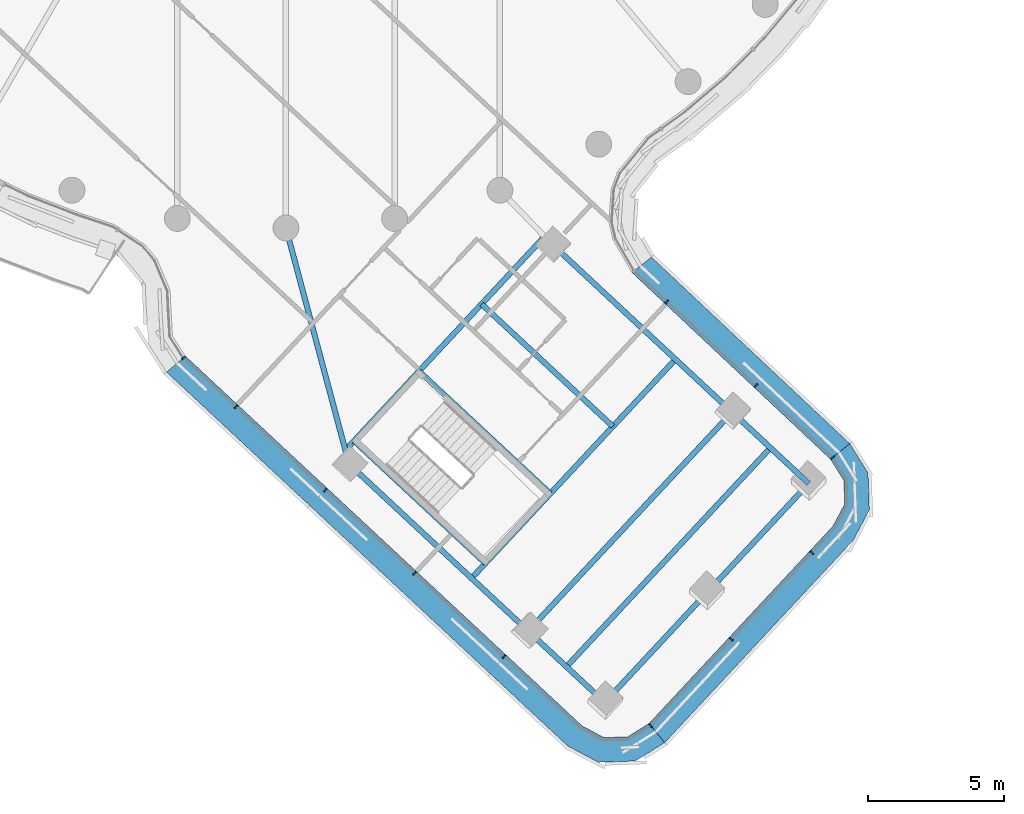
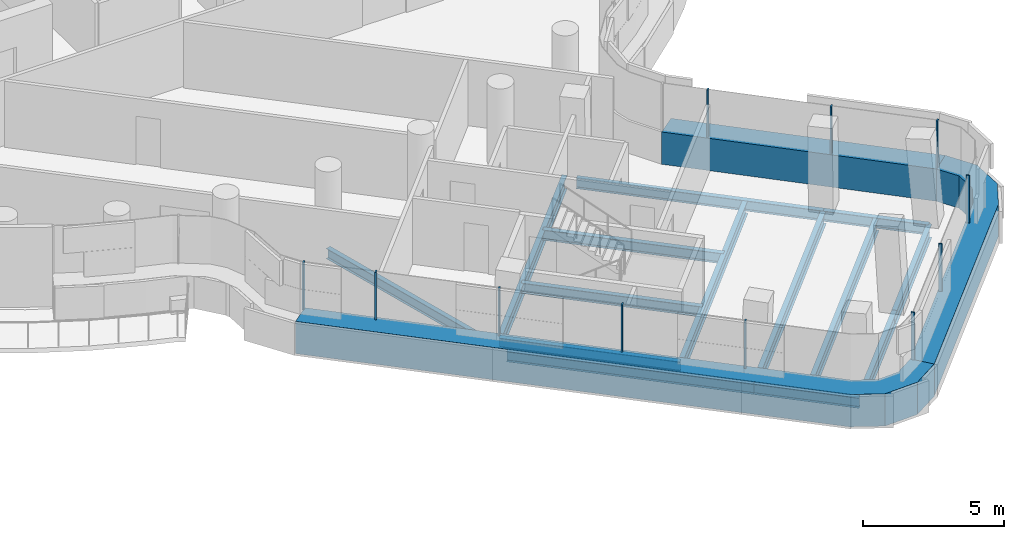
# One storey, part 4 of 30: 14 beams, 14 members, 3 elements without a shape of their own.
"""IFC4 building model written with IfcOpenShell, lengths in metres."""

import ifcopenshell
import ifcopenshell.guid

model = None  # the IFC model being written
_history = None  # IfcOwnerHistory: only IFC2X3 demands one
_inside = {}  # id of a spatial element -> (the spatial element, [elements in it])
_under = {}  # id of a project, library or spatial element -> (it, [spatial elements below it])
_declared = {}  # id of a project -> (the project, [libraries it declares])
_typed = {}  # id of a type object -> (the type object, [elements of that type])
_made_of = {}  # id of a material, layer set ... -> (it, [elements and type objects made of it])


def new_model(schema):
    """Start an empty IFC model of exactly this schema.

    Asked for "IFC4X3", IfcOpenShell would pick the latest addendum, in which some entities
    have other attributes; the version numbers below select the first issue.
    IFC2X3 requires an IfcOwnerHistory on every rooted entity: one is made here for all.
    """
    global model, _history
    if schema == "IFC4X3":
        model = ifcopenshell.file(schema_version=(4, 3, 0, 0))
    else:
        model = ifcopenshell.file(schema=schema)
    _inside.clear()
    _under.clear()
    _declared.clear()
    _typed.clear()
    _made_of.clear()
    _history = None
    if model.schema == "IFC2X3":
        org = make("IfcOrganization", Name="unknown")
        user = make(
            "IfcPersonAndOrganization",
            ThePerson=make("IfcPerson", FamilyName="unknown"),
            TheOrganization=org,
        )
        app = make(
            "IfcApplication",
            ApplicationDeveloper=org,
            Version="unknown",
            ApplicationFullName="unknown",
            ApplicationIdentifier="unknown",
        )
        _history = make(
            "IfcOwnerHistory",
            OwningUser=user,
            OwningApplication=app,
            ChangeAction="ADDED",
            CreationDate=0,
        )
    return model


def make(cls, **values):
    """One entity of the class cls with the attributes given. An attribute that is None is left unset."""
    return model.create_entity(
        cls, **{name: value for name, value in values.items() if value is not None}
    )


def rooted(cls, **values):
    """An entity with a GlobalId (a new one), such as an element, a storey or a relation."""
    return make(cls, GlobalId=ifcopenshell.guid.new(), OwnerHistory=_history, **values)


def si_unit(unit_type, name, prefix=None):
    """IfcSIUnit, for example si_unit("LENGTHUNIT", "METRE", prefix="MILLI")."""
    return make("IfcSIUnit", UnitType=unit_type, Prefix=prefix, Name=name)


def assignment(units):
    """IfcUnitAssignment: the units of a project."""
    return None if units is None else make("IfcUnitAssignment", Units=units)


def point(xyz):
    """IfcCartesianPoint."""
    return None if xyz is None else make("IfcCartesianPoint", Coordinates=xyz)


def direction(xyz):
    """IfcDirection."""
    return None if xyz is None else make("IfcDirection", DirectionRatios=xyz)


def frame(location, z_axis=None, x_axis=None):
    """IfcAxis2Placement3D, a coordinate frame: its origin and axes. An axis left out is left unset."""
    return make(
        "IfcAxis2Placement3D",
        Location=point(location),
        Axis=direction(z_axis),
        RefDirection=direction(x_axis),
    )


def frame_2d(location, x_axis=None):
    """IfcAxis2Placement2D, a coordinate frame in the plane: its origin and x axis."""
    return make(
        "IfcAxis2Placement2D", Location=point(location), RefDirection=direction(x_axis)
    )


def origin():
    """The frame at (0, 0, 0) with its axes left unset."""
    return frame((0.0, 0.0, 0.0))


def origin_2d():
    """The frame at (0, 0) in the plane with its x axis left unset."""
    return frame_2d((0.0, 0.0))


def place(relative_to, where):
    """IfcLocalPlacement: puts the frame where relative to a parent placement (None: the world)."""
    return make(
        "IfcLocalPlacement", PlacementRelTo=relative_to, RelativePlacement=where
    )


def context(
    kind, dimensions, precision=None, world=None, true_north=None, identifier=None
):
    """IfcGeometricRepresentationContext, for example the 3D "Model" context."""
    return make(
        "IfcGeometricRepresentationContext",
        ContextIdentifier=identifier,
        ContextType=kind,
        CoordinateSpaceDimension=dimensions,
        Precision=precision,
        WorldCoordinateSystem=world,
        TrueNorth=true_north,
    )


def subcontext(parent, identifier, kind, view, scale=None):
    """IfcGeometricRepresentationSubContext, for example "Body" below "Model"."""
    return make(
        "IfcGeometricRepresentationSubContext",
        ContextIdentifier=identifier,
        ContextType=kind,
        ParentContext=parent,
        TargetScale=scale,
        TargetView=view,
    )


def project(units=None, contexts=None):
    """IfcProject with its units and contexts."""
    return rooted(
        "IfcProject",
        Name="project",
        RepresentationContexts=contexts,
        UnitsInContext=assignment(units),
    )


def spatial(cls, under=None, at=None, **own):
    """A site, building, storey or space (cls), placed at a placement, below another one or the project."""
    s = rooted(cls, ObjectPlacement=at, **own)
    if under is not None:
        _under.setdefault(under.id(), (under, []))[1].append(s)
    return s


def polyline(points):
    """IfcPolyline through the points."""
    return make("IfcPolyline", Points=[point(p) for p in points])


def profile(cls, at=None, kind="AREA", **sizes):
    """A parametric profile (cls). Its sizes go by their IFC names, for example OverallWidth=200.0."""
    return make(cls, ProfileType=kind, Position=at, **sizes)


def rectangle(**sizes):
    """IfcRectangleProfileDef."""
    return profile("IfcRectangleProfileDef", **sizes)


def i_section(**sizes):
    """IfcIShapeProfileDef."""
    return profile("IfcIShapeProfileDef", **sizes)


def outline(outer, holes=None, kind="AREA"):
    """IfcArbitraryClosedProfileDef: a profile drawn as a closed curve; with holes, ...WithVoids."""
    if holes is None:
        return make("IfcArbitraryClosedProfileDef", ProfileType=kind, OuterCurve=outer)
    return make(
        "IfcArbitraryProfileDefWithVoids",
        ProfileType=kind,
        OuterCurve=outer,
        InnerCurves=holes,
    )


def extrude(swept, where, along, depth):
    """IfcExtrudedAreaSolid: the profile swept, set in the frame where, extruded along a direction by depth."""
    return make(
        "IfcExtrudedAreaSolid",
        SweptArea=swept,
        Position=where,
        ExtrudedDirection=direction(along),
        Depth=depth,
    )


def shape(context_of_items, identifier, shape_type, items):
    """IfcShapeRepresentation: the items that make up one representation, for example the "Body"."""
    return make(
        "IfcShapeRepresentation",
        ContextOfItems=context_of_items,
        RepresentationIdentifier=identifier,
        RepresentationType=shape_type,
        Items=items,
    )


def material(Name=None, Category=None):
    """IfcMaterial."""
    return make("IfcMaterial", Name=Name, Category=Category)


def layer(
    of_material, thickness, ventilated=None, Name=None, Category=None, Priority=None
):
    """IfcMaterialLayer: one layer of a wall or slab, of a material (None: an air gap)."""
    return make(
        "IfcMaterialLayer",
        Material=of_material,
        LayerThickness=thickness,
        IsVentilated=ventilated,
        Name=Name,
        Category=Category,
        Priority=Priority,
    )


def layer_set(layers, Name=None):
    """IfcMaterialLayerSet."""
    return make("IfcMaterialLayerSet", MaterialLayers=layers, LayerSetName=Name)


def material_profile(
    of_material, cross_section, Name=None, Category=None, Priority=None
):
    """IfcMaterialProfile: a cross section and its material."""
    return make(
        "IfcMaterialProfile",
        Name=Name,
        Material=of_material,
        Profile=cross_section,
        Priority=Priority,
        Category=Category,
    )


def profile_set(profiles, Name=None, composite=None):
    """IfcMaterialProfileSet."""
    return make(
        "IfcMaterialProfileSet",
        Name=Name,
        MaterialProfiles=profiles,
        CompositeProfile=composite,
    )


def made_of(thing, what):
    """Note that an element or type object is made of a material, layer set ...; save() writes the relation."""
    if what is not None:
        _made_of.setdefault(what.id(), (what, []))[1].append(thing)
    return thing


def type_object(cls, material=None, **own):
    """A type object (cls), such as IfcWallType, which elements share."""
    return made_of(rooted(cls, **own), material)


def element(
    cls,
    number,
    at=None,
    inside=None,
    cuts=None,
    type_object=None,
    material=None,
    context=None,
    identifier="Body",
    shape_type=None,
    held_by="IfcProductDefinitionShape",
    body=None,
    shapes=None,
    **own,
):
    """One element of the class cls, such as IfcWall. Its Tag is "e" and its number.

    at: its placement. inside: the storey or other place that contains it. cuts: it is an
    opening in that element (IfcRelVoidsElement). A single representation is given by context,
    identifier, shape_type and body (its items); several are given by shapes. held_by: the class
    of the entity that holds the representations. save() writes the other relations.
    """
    e = rooted(cls, Tag="e%d" % number, ObjectPlacement=at, **own)
    if body is not None:
        shapes = [shape(context, identifier, shape_type, body)]
    if shapes is not None:
        e.Representation = make(held_by, Representations=shapes)
    if inside is not None:
        _inside.setdefault(inside.id(), (inside, []))[1].append(e)
    if cuts is not None:
        rooted(
            "IfcRelVoidsElement", RelatingBuildingElement=cuts, RelatedOpeningElement=e
        )
    if type_object is not None:
        _typed.setdefault(type_object.id(), (type_object, []))[1].append(e)
    return made_of(e, material)


def aggregate(whole, parts):
    """IfcRelAggregates: a whole, such as a stair, and the parts it consists of."""
    return rooted("IfcRelAggregates", RelatingObject=whole, RelatedObjects=parts)


def save(model, path):
    """Write the relations noted so far, then the file.

    IfcRelAggregates (storeys below a building ...), IfcRelContainedInSpatialStructure (elements
    in a storey), IfcRelDefinesByType, IfcRelAssociatesMaterial and IfcRelDeclares: one each for
    every whole, place, type object, material and project.
    """
    for whole, parts in _under.values():
        aggregate(whole, parts)
    for where, things in _inside.values():
        rooted(
            "IfcRelContainedInSpatialStructure",
            RelatedElements=things,
            RelatingStructure=where,
        )
    for kind, things in _typed.values():
        rooted("IfcRelDefinesByType", RelatedObjects=things, RelatingType=kind)
    for what, things in _made_of.values():
        rooted("IfcRelAssociatesMaterial", RelatedObjects=things, RelatingMaterial=what)
    for by, libraries in _declared.values():
        rooted("IfcRelDeclares", RelatingContext=by, RelatedDefinitions=libraries)
    model.write(path)


model = new_model("IFC4")

# Units and contexts
model_context = context("Model", 3, precision=1e-05, world=origin(), true_north=direction((0.0, 1.0)))
body_context = subcontext(model_context, "Body", "Model", "MODEL_VIEW")
ifc_project = project(units=[si_unit("LENGTHUNIT", "METRE"), si_unit("AREAUNIT", "SQUARE_METRE"), si_unit("VOLUMEUNIT", "CUBIC_METRE"), si_unit("PLANEANGLEUNIT", "RADIAN"), si_unit("MASSUNIT", "GRAM", prefix="KILO")], contexts=[model_context])

# Site, building, storey
site_placement = place(None, origin())
site = spatial("IfcSite", under=ifc_project, at=site_placement, CompositionType="ELEMENT")
building_placement = place(site_placement, origin())
building = spatial("IfcBuilding", under=site, at=building_placement, Name="Tamarind Cross Interchange Tower", CompositionType="ELEMENT")
storey_placement = place(building_placement, frame((0.0, 0.0, 204.10009765625)))
storey = spatial("IfcBuildingStorey", under=building, at=storey_placement, Name="L51", CompositionType="ELEMENT", Elevation=204.10009765625)

# Beams
ifc_material_1 = material(Name="Steel Q355B", Category="steel")
ifc_material_profile_1 = material_profile(ifc_material_1, i_section(OverallWidth=0.198974609375, OverallDepth=0.446044921875, WebThickness=0.008056640625, FlangeThickness=0.011962890625, FilletRadius=0.012939453125, at=origin_2d()), Name="HN 446x199x8x12")
ifc_profile_set_1 = profile_set([ifc_material_profile_1], Name="Steel Q355B")
beam_type_1 = type_object("IfcBeamType", Name="Composite beam HN 446x199x8x12 Q355B", PredefinedType="BEAM", material=ifc_profile_set_1)
beam_1_placement = place(storey_placement, frame((11.71875, -40.440185546875, -0.363037109375), z_axis=(-0.731557578631, 0.681779663196, 0.0), x_axis=(-0.681779663196, -0.731557578631, 0.0)))
element("IfcBeam", 1, at=beam_1_placement, inside=storey, type_object=beam_type_1, Name="Beam S-edgeem5", PredefinedType="BEAM", context=body_context, shape_type="SweptSolid", body=[
    extrude(i_section(OverallWidth=0.198974609375, OverallDepth=0.446044921875, WebThickness=0.008056640625, FlangeThickness=0.011962890625, FilletRadius=0.012939453125, at=origin_2d()), origin(), (0.0, 0.0, 1.0), 3.84521484375),
])
beam_2_placement = place(storey_placement, frame((8.90576171875, -37.818603515625, -0.363037109375), z_axis=(-0.7315313897, 0.681807763144, 0.0), x_axis=(-0.681807763144, -0.7315313897, 0.0)))
element("IfcBeam", 2, at=beam_2_placement, inside=storey, type_object=beam_type_1, Name="Beam S-edgeem6", PredefinedType="BEAM", context=body_context, shape_type="SweptSolid", body=[
    extrude(i_section(OverallWidth=0.198974609375, OverallDepth=0.446044921875, WebThickness=0.008056640625, FlangeThickness=0.011962890625, FilletRadius=0.012939453125, at=origin_2d()), origin(), (0.0, 0.0, 1.0), 9.0),
])
beam_3_placement = place(storey_placement, frame((19.218505859375, -32.39306640625, -0.363037109375), z_axis=(-0.731557578631, 0.681779663196, 0.0), x_axis=(-0.681779663196, -0.731557578631, 0.0)))
element("IfcBeam", 3, at=beam_3_placement, inside=storey, type_object=beam_type_1, Name="Beam S-edgeep2", PredefinedType="BEAM", context=body_context, shape_type="SweptSolid", body=[
    extrude(i_section(OverallWidth=0.198974609375, OverallDepth=0.446044921875, WebThickness=0.008056640625, FlangeThickness=0.011962890625, FilletRadius=0.012939453125, at=origin_2d()), origin(), (0.0, 0.0, 1.0), 3.84521484375),
])
beam_4_placement = place(storey_placement, frame((16.405517578125, -29.771484375, -0.363037109375), z_axis=(-0.731544919726, 0.681793246096, 0.0), x_axis=(-0.681793246096, -0.731544919726, 0.0)))
element("IfcBeam", 4, at=beam_4_placement, inside=storey, type_object=beam_type_1, Name="Beam S-edgeep3", PredefinedType="BEAM", context=body_context, shape_type="SweptSolid", body=[
    extrude(i_section(OverallWidth=0.198974609375, OverallDepth=0.446044921875, WebThickness=0.008056640625, FlangeThickness=0.011962890625, FilletRadius=0.012939453125, at=origin_2d()), origin(), (0.0, 0.0, 1.0), 8.999755859375),
])
beam_5_placement = place(storey_placement, frame((2.322021484375, -31.682373046875, -0.363037109375), z_axis=(-0.258360855555, 0.966048481349, 0.0), x_axis=(-0.966048481349, -0.258360855555, 0.0)))
element("IfcBeam", 5, at=beam_5_placement, inside=storey, type_object=beam_type_1, Name="Beam S-linkem", PredefinedType="BEAM", context=body_context, shape_type="SweptSolid", body=[
    extrude(i_section(OverallWidth=0.198974609375, OverallDepth=0.446044921875, WebThickness=0.008056640625, FlangeThickness=0.011962890625, FilletRadius=0.012939453125, at=origin_2d()), origin(), (0.0, 0.0, 1.0), 8.987548828125),
])
for number, where, z_axis, x_axis, name in (
    (6, (2.504150390625, -30.826904296875, -0.363037109375), (0.731545898773, -0.681792195605, 0.0), (0.681792195605, 0.731545898773, 0.0), "Beam S-tr0"),
    (7, (4.890380859375, -28.2666015625, -0.363037109375), (0.731545898773, -0.681792195605, 0.0), (0.681792195605, 0.731545898773, 0.0), "Beam S-tr1"),
    (8, (7.19140625, -25.797607421875, -0.363037109375), (0.731545898773, -0.681792195605, 0.0), (0.681792195605, 0.731545898773, 0.0), "Beam S-stripp"),
):
    element("IfcBeam", number, at=place(storey_placement, frame(where, z_axis=z_axis, x_axis=x_axis)), inside=storey, type_object=beam_type_1, Name=name, PredefinedType="BEAM", context=body_context, shape_type="SweptSolid", body=[
        extrude(i_section(OverallWidth=0.198974609375, OverallDepth=0.446044921875, WebThickness=0.008056640625, FlangeThickness=0.011962890625, FilletRadius=0.012939453125, at=origin_2d()), origin(), (0.0, 0.0, 1.0), 6.599853515625),
    ])
ifc_material_profile_2 = material_profile(ifc_material_1, i_section(OverallWidth=0.198974609375, OverallDepth=0.595947265625, WebThickness=0.010009765625, FlangeThickness=0.014892578125, FilletRadius=0.012939453125, at=origin_2d()), Name="HN 596x199x10x15")
ifc_profile_set_2 = profile_set([ifc_material_profile_2], Name="Steel Q355B")
beam_type_2 = type_object("IfcBeamType", Name="Composite beam HN 596x199x10x15 Q355B", PredefinedType="BEAM", material=ifc_profile_set_2)
beam_6_placement = place(storey_placement, frame((11.71875, -40.440185546875, -0.43798828125), z_axis=(0.681788236295, 0.731549588784, 0.0), x_axis=(-0.731549588784, 0.681788236295, 0.0)))
element("IfcBeam", 9, at=beam_6_placement, inside=storey, type_object=beam_type_2, Name="Beam S-tip0", PredefinedType="BEAM", context=body_context, shape_type="SweptSolid", body=[
    extrude(i_section(OverallWidth=0.198974609375, OverallDepth=0.595947265625, WebThickness=0.010009765625, FlangeThickness=0.014892578125, FilletRadius=0.012939453125, at=origin_2d()), origin(), (0.0, 0.0, 1.0), 5.5),
])
beam_7_placement = place(storey_placement, frame((15.468505859375, -36.416748046875, -0.43798828125), z_axis=(0.681789852121, 0.731548082865, 0.0), x_axis=(-0.731548082865, 0.681789852121, 0.0)))
element("IfcBeam", 10, at=beam_7_placement, inside=storey, type_object=beam_type_2, Name="Beam S-tip1", PredefinedType="BEAM", context=body_context, shape_type="SweptSolid", body=[
    extrude(i_section(OverallWidth=0.198974609375, OverallDepth=0.595947265625, WebThickness=0.010009765625, FlangeThickness=0.014892578125, FilletRadius=0.012939453125, at=origin_2d()), origin(), (0.0, 0.0, 1.0), 5.500244140625),
])
beam_8_placement = place(storey_placement, frame((2.184814453125, -31.16943359375, -0.43798828125), z_axis=(0.681804670006, 0.731534272579, 0.0), x_axis=(-0.731534272579, 0.681804670006, 0.0)))
element("IfcBeam", 11, at=beam_8_placement, inside=storey, type_object=beam_type_2, Name="Beam S-x298", PredefinedType="BEAM", context=body_context, shape_type="SweptSolid", body=[
    extrude(i_section(OverallWidth=0.198974609375, OverallDepth=0.595947265625, WebThickness=0.010009765625, FlangeThickness=0.014892578125, FilletRadius=0.012939453125, at=origin_2d()), origin(), (0.0, 0.0, 1.0), 10.74169921875),
])
for number, where, z_axis, x_axis, name in (
    (12, (6.821044921875, -35.87548828125, -0.43798828125), (0.681789044234, 0.731548835802, 0.0), (-0.731548835802, 0.681789044234, 0.0), "Beam S-x364"),
    (13, (8.90576171875, -37.818603515625, -0.43798828125), (0.681789044234, 0.731548835802, 0.0), (-0.731548835802, 0.681789044234, 0.0), "Beam S-x393"),
    (14, (10.312255859375, -39.12939453125, -0.43798828125), (0.681789044234, 0.731548835802, 0.0), (-0.731548835802, 0.681789044234, 0.0), "Beam S-x412"),
):
    element("IfcBeam", number, at=place(storey_placement, frame(where, z_axis=z_axis, x_axis=x_axis)), inside=storey, type_object=beam_type_2, Name=name, PredefinedType="BEAM", context=body_context, shape_type="SweptSolid", body=[
        extrude(i_section(OverallWidth=0.198974609375, OverallDepth=0.595947265625, WebThickness=0.010009765625, FlangeThickness=0.014892578125, FilletRadius=0.012939453125, at=origin_2d()), origin(), (0.0, 0.0, 1.0), 11.0),
    ])

# Curtain wall, member
ifc_material_2 = material(Name="Aluminium 6063-T6", Category="aluminium")
ifc_layer = layer(ifc_material_2, 0.139892578125)
ifc_layer_set = layer_set([ifc_layer], Name="Aluminium 6063-T6")
curtain_wall_type = type_object("IfcCurtainWallType", Name="Hotel curtain wall, 4.5 m bays", PredefinedType="NOTDEFINED", material=ifc_layer_set)
curtain_wall_1_placement = place(storey_placement, origin())
curtain_wall_1 = element("IfcCurtainWall", 15, at=curtain_wall_1_placement, inside=storey, type_object=curtain_wall_type, Name="CWS-L51-03", PredefinedType="NOTDEFINED")
ifc_material_3 = material(Name="Aluminium and insulated spandrel panel", Category="aluminium")
member_type_1 = type_object("IfcMemberType", Name="Floor-edge blade transom", PredefinedType="USERDEFINED", material=ifc_material_3)
member_1_placement = place(storey_placement, origin())
member_1 = element("IfcMember", 16, at=member_1_placement, type_object=member_type_1, Name="CWT-L51-03", ObjectType="TRANSOM", PredefinedType="USERDEFINED", context=body_context, shape_type="SweptSolid", body=[
    extrude(outline(polyline([(-3.693603515625, -27.71630859375), (10.88818359375, -41.306396484375), (11.696533203125, -41.73583984375), (12.570556640625, -41.705078125), (13.3466796875, -41.219970703125), (13.92431640625, -41.920166015625), (12.84326171875, -42.59619140625), (11.4873046875, -42.643798828125), (10.361328125, -42.045654296875), (-4.39111328125, -28.296630859375), (-3.693603515625, -27.71630859375)])), origin(), (0.0, 0.0, 1.0), 1.39990234375),
])

curtain_wall_2_placement = place(storey_placement, origin())
curtain_wall_2 = element("IfcCurtainWall", 17, at=curtain_wall_2_placement, inside=storey, type_object=curtain_wall_type, Name="CWS-L51-04", PredefinedType="NOTDEFINED")
member_2_placement = place(storey_placement, origin())
member_2 = element("IfcMember", 18, at=member_2_placement, type_object=member_type_1, Name="CWT-L51-04", ObjectType="TRANSOM", PredefinedType="USERDEFINED", context=body_context, shape_type="SweptSolid", body=[
    extrude(outline(polyline([(13.3466796875, -41.219970703125), (20.11083984375, -33.962158203125), (20.540283203125, -33.15380859375), (20.509521484375, -32.27978515625), (20.02392578125, -31.503173828125), (20.72509765625, -30.92724609375), (21.400390625, -32.00732421875), (21.4482421875, -33.36328125), (20.849853515625, -34.4892578125), (13.92431640625, -41.920166015625), (13.3466796875, -41.219970703125)])), origin(), (0.0, 0.0, 1.0), 1.39990234375),
])

curtain_wall_3_placement = place(storey_placement, origin())
curtain_wall_3 = element("IfcCurtainWall", 19, at=curtain_wall_3_placement, inside=storey, type_object=curtain_wall_type, Name="CWS-L51-05", PredefinedType="NOTDEFINED")
member_3_placement = place(storey_placement, origin())
member_3 = element("IfcMember", 20, at=member_3_placement, type_object=member_type_1, Name="CWT-L51-05", ObjectType="TRANSOM", PredefinedType="USERDEFINED", context=body_context, shape_type="SweptSolid", body=[
    extrude(outline(polyline([(20.02392578125, -31.503173828125), (12.72216796875, -24.63916015625), (13.434814453125, -24.07373046875), (20.72509765625, -30.92724609375), (20.02392578125, -31.503173828125)])), origin(), (0.0, 0.0, 1.0), 1.39990234375),
])

# Member
ifc_material_profile_3 = material_profile(ifc_material_2, rectangle(XDim=0.06005859375, YDim=0.139892578125, at=origin_2d()), Name="Mullion CW2")
ifc_profile_set_3 = profile_set([ifc_material_profile_3], Name="Aluminium 6063-T6")
member_type_2 = type_object("IfcMemberType", Name="Mullion CW2", PredefinedType="MULLION", material=ifc_profile_set_3)
member_4_placement = place(storey_placement, frame((-3.77099609375, -27.78076171875, 1.39990234375), z_axis=(0.0, 0.0, 1.0), x_axis=(0.639487379095, -0.768801594677, 0.0)))
member_4 = element("IfcMember", 21, at=member_4_placement, type_object=member_type_2, Name="CWM-L51-03-00", PredefinedType="MULLION", context=body_context, shape_type="SweptSolid", body=[
    extrude(rectangle(XDim=0.06005859375, YDim=0.139892578125, at=origin_2d()), origin(), (0.0, 0.0, 1.0), 2.06005859375),
])

member_5_placement = place(storey_placement, frame((-1.8427734375, -29.577880859375, 1.39990234375), z_axis=(0.0, 0.0, 1.0), x_axis=(0.73154412297, -0.681794100992, 0.0)))
member_5 = element("IfcMember", 22, at=member_5_placement, type_object=member_type_2, Name="CWM-L51-03-01", PredefinedType="MULLION", context=body_context, shape_type="SweptSolid", body=[
    extrude(rectangle(XDim=0.06005859375, YDim=0.139892578125, at=origin_2d()), origin(), (0.0, 0.0, 1.0), 2.06005859375),
])

member_6_placement = place(storey_placement, frame((1.440673828125, -32.63818359375, 1.39990234375), z_axis=(0.0, 0.0, 1.0), x_axis=(0.73154412297, -0.681794100992, 0.0)))
member_6 = element("IfcMember", 23, at=member_6_placement, type_object=member_type_2, Name="CWM-L51-03-02", PredefinedType="MULLION", context=body_context, shape_type="SweptSolid", body=[
    extrude(rectangle(XDim=0.06005859375, YDim=0.139892578125, at=origin_2d()), origin(), (0.0, 0.0, 1.0), 2.06005859375),
])

member_7_placement = place(storey_placement, frame((4.72412109375, -35.6982421875, 1.39990234375), z_axis=(0.0, 0.0, 1.0), x_axis=(0.73154412297, -0.681794100992, 0.0)))
member_7 = element("IfcMember", 24, at=member_7_placement, type_object=member_type_2, Name="CWM-L51-03-03", PredefinedType="MULLION", context=body_context, shape_type="SweptSolid", body=[
    extrude(rectangle(XDim=0.06005859375, YDim=0.139892578125, at=origin_2d()), origin(), (0.0, 0.0, 1.0), 2.06005859375),
])

member_8_placement = place(storey_placement, frame((8.007568359375, -38.758544921875, 1.39990234375), z_axis=(0.0, 0.0, 1.0), x_axis=(0.73154412297, -0.681794100992, 0.0)))
member_8 = element("IfcMember", 25, at=member_8_placement, type_object=member_type_2, Name="CWM-L51-03-04", PredefinedType="MULLION", context=body_context, shape_type="SweptSolid", body=[
    extrude(rectangle(XDim=0.06005859375, YDim=0.139892578125, at=origin_2d()), origin(), (0.0, 0.0, 1.0), 2.06005859375),
])

aggregate(curtain_wall_1, [member_4, member_5, member_6, member_7, member_8, member_1])

member_9_placement = place(storey_placement, frame((13.410888671875, -41.297607421875, 1.39990234375), z_axis=(0.0, 0.0, 1.0), x_axis=(0.771446926756, 0.636293673707, 0.0)))
member_9 = element("IfcMember", 26, at=member_9_placement, type_object=member_type_2, Name="CWM-L51-04-00", PredefinedType="MULLION", context=body_context, shape_type="SweptSolid", body=[
    extrude(rectangle(XDim=0.06005859375, YDim=0.139892578125, at=origin_2d()), origin(), (0.0, 0.0, 1.0), 2.06005859375),
])

member_10_placement = place(storey_placement, frame((16.37353515625, -38.11865234375, 1.39990234375), z_axis=(0.0, 0.0, 1.0), x_axis=(0.681794100992, 0.73154412297, 0.0)))
member_10 = element("IfcMember", 27, at=member_10_placement, type_object=member_type_2, Name="CWM-L51-04-01", PredefinedType="MULLION", context=body_context, shape_type="SweptSolid", body=[
    extrude(rectangle(XDim=0.06005859375, YDim=0.139892578125, at=origin_2d()), origin(), (0.0, 0.0, 1.0), 2.06005859375),
])

member_11_placement = place(storey_placement, frame((19.33642578125, -34.939697265625, 1.39990234375), z_axis=(0.0, 0.0, 1.0), x_axis=(0.681794100992, 0.73154412297, 0.0)))
member_11 = element("IfcMember", 28, at=member_11_placement, type_object=member_type_2, Name="CWM-L51-04-02", PredefinedType="MULLION", context=body_context, shape_type="SweptSolid", body=[
    extrude(rectangle(XDim=0.06005859375, YDim=0.139892578125, at=origin_2d()), origin(), (0.0, 0.0, 1.0), 2.06005859375),
])

aggregate(curtain_wall_2, [member_9, member_10, member_11, member_2])

member_12_placement = place(storey_placement, frame((20.101806640625, -31.439208984375, 1.39990234375), z_axis=(0.0, 0.0, 1.0), x_axis=(-0.634635280512, 0.772811788684, 0.0)))
member_12 = element("IfcMember", 29, at=member_12_placement, type_object=member_type_2, Name="CWM-L51-05-00", PredefinedType="MULLION", context=body_context, shape_type="SweptSolid", body=[
    extrude(rectangle(XDim=0.06005859375, YDim=0.139892578125, at=origin_2d()), origin(), (0.0, 0.0, 1.0), 2.06005859375),
])

member_13_placement = place(storey_placement, frame((17.282958984375, -28.789306640625, 1.39990234375), z_axis=(0.0, 0.0, 1.0), x_axis=(-0.728608644687, 0.684930246732, 0.0)))
member_13 = element("IfcMember", 30, at=member_13_placement, type_object=member_type_2, Name="CWM-L51-05-01", PredefinedType="MULLION", context=body_context, shape_type="SweptSolid", body=[
    extrude(rectangle(XDim=0.06005859375, YDim=0.139892578125, at=origin_2d()), origin(), (0.0, 0.0, 1.0), 2.06005859375),
])

member_14_placement = place(storey_placement, frame((14.0029296875, -25.7060546875, 1.39990234375), z_axis=(0.0, 0.0, 1.0), x_axis=(-0.728608644687, 0.684930246732, 0.0)))
member_14 = element("IfcMember", 31, at=member_14_placement, type_object=member_type_2, Name="CWM-L51-05-02", PredefinedType="MULLION", context=body_context, shape_type="SweptSolid", body=[
    extrude(rectangle(XDim=0.06005859375, YDim=0.139892578125, at=origin_2d()), origin(), (0.0, 0.0, 1.0), 2.06005859375),
])

aggregate(curtain_wall_3, [member_12, member_13, member_14, member_3])

save(model, "model.ifc")
